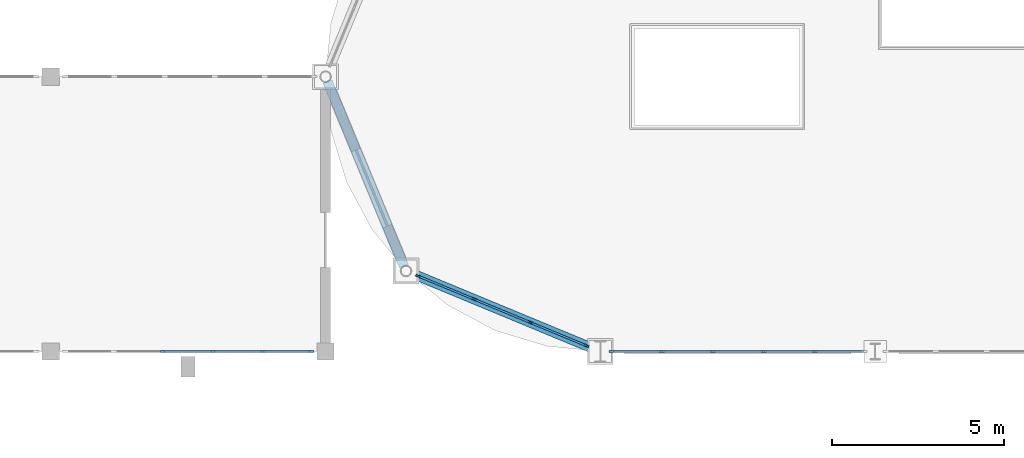
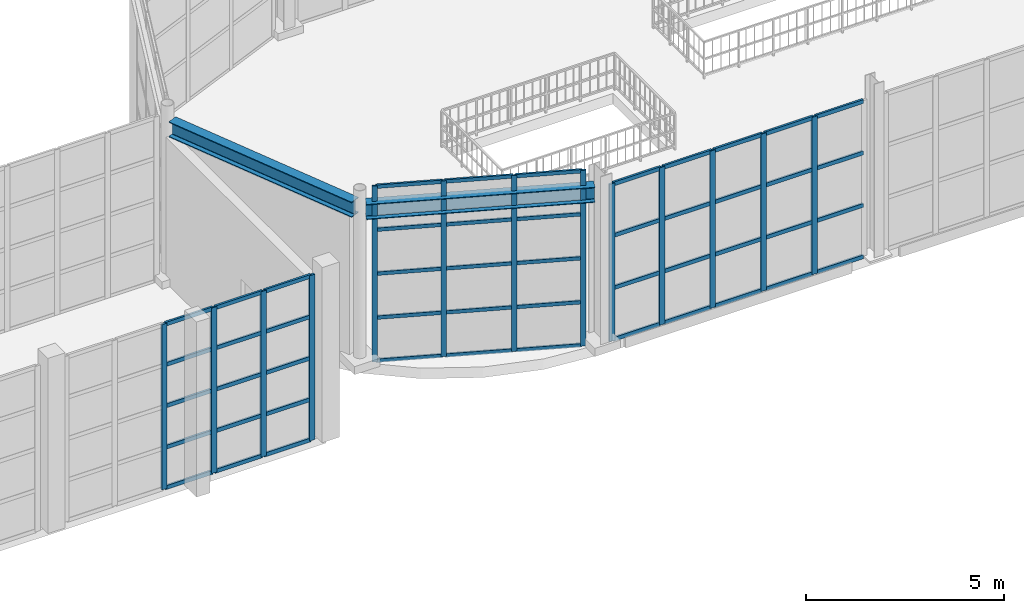
# One storey, part 17 of 82: 63 members, 2 beams, 3 elements without a shape of their own.
"""IFC4 building model written with IfcOpenShell, lengths in metres."""

import ifcopenshell
import ifcopenshell.guid

model = None  # the IFC model being written
_history = None  # IfcOwnerHistory: only IFC2X3 demands one
_inside = {}  # id of a spatial element -> (the spatial element, [elements in it])
_under = {}  # id of a project, library or spatial element -> (it, [spatial elements below it])
_declared = {}  # id of a project -> (the project, [libraries it declares])
_typed = {}  # id of a type object -> (the type object, [elements of that type])
_made_of = {}  # id of a material, layer set ... -> (it, [elements and type objects made of it])


def new_model(schema):
    """Start an empty IFC model of exactly this schema.

    Asked for "IFC4X3", IfcOpenShell would pick the latest addendum, in which some entities
    have other attributes; the version numbers below select the first issue.
    IFC2X3 requires an IfcOwnerHistory on every rooted entity: one is made here for all.
    """
    global model, _history
    if schema == "IFC4X3":
        model = ifcopenshell.file(schema_version=(4, 3, 0, 0))
    else:
        model = ifcopenshell.file(schema=schema)
    _inside.clear()
    _under.clear()
    _declared.clear()
    _typed.clear()
    _made_of.clear()
    _history = None
    if model.schema == "IFC2X3":
        org = make("IfcOrganization", Name="unknown")
        user = make(
            "IfcPersonAndOrganization",
            ThePerson=make("IfcPerson", FamilyName="unknown"),
            TheOrganization=org,
        )
        app = make(
            "IfcApplication",
            ApplicationDeveloper=org,
            Version="unknown",
            ApplicationFullName="unknown",
            ApplicationIdentifier="unknown",
        )
        _history = make(
            "IfcOwnerHistory",
            OwningUser=user,
            OwningApplication=app,
            ChangeAction="ADDED",
            CreationDate=0,
        )
    return model


def make(cls, **values):
    """One entity of the class cls with the attributes given. An attribute that is None is left unset."""
    return model.create_entity(
        cls, **{name: value for name, value in values.items() if value is not None}
    )


def rooted(cls, **values):
    """An entity with a GlobalId (a new one), such as an element, a storey or a relation."""
    return make(cls, GlobalId=ifcopenshell.guid.new(), OwnerHistory=_history, **values)


def si_unit(unit_type, name, prefix=None):
    """IfcSIUnit, for example si_unit("LENGTHUNIT", "METRE", prefix="MILLI")."""
    return make("IfcSIUnit", UnitType=unit_type, Prefix=prefix, Name=name)


def assignment(units):
    """IfcUnitAssignment: the units of a project."""
    return None if units is None else make("IfcUnitAssignment", Units=units)


def point(xyz):
    """IfcCartesianPoint."""
    return None if xyz is None else make("IfcCartesianPoint", Coordinates=xyz)


def direction(xyz):
    """IfcDirection."""
    return None if xyz is None else make("IfcDirection", DirectionRatios=xyz)


def frame(location, z_axis=None, x_axis=None):
    """IfcAxis2Placement3D, a coordinate frame: its origin and axes. An axis left out is left unset."""
    return make(
        "IfcAxis2Placement3D",
        Location=point(location),
        Axis=direction(z_axis),
        RefDirection=direction(x_axis),
    )


def frame_2d(location, x_axis=None):
    """IfcAxis2Placement2D, a coordinate frame in the plane: its origin and x axis."""
    return make(
        "IfcAxis2Placement2D", Location=point(location), RefDirection=direction(x_axis)
    )


def origin():
    """The frame at (0, 0, 0) with its axes left unset."""
    return frame((0.0, 0.0, 0.0))


def origin_2d():
    """The frame at (0, 0) in the plane with its x axis left unset."""
    return frame_2d((0.0, 0.0))


def place(relative_to, where):
    """IfcLocalPlacement: puts the frame where relative to a parent placement (None: the world)."""
    return make(
        "IfcLocalPlacement", PlacementRelTo=relative_to, RelativePlacement=where
    )


def context(
    kind, dimensions, precision=None, world=None, true_north=None, identifier=None
):
    """IfcGeometricRepresentationContext, for example the 3D "Model" context."""
    return make(
        "IfcGeometricRepresentationContext",
        ContextIdentifier=identifier,
        ContextType=kind,
        CoordinateSpaceDimension=dimensions,
        Precision=precision,
        WorldCoordinateSystem=world,
        TrueNorth=true_north,
    )


def subcontext(parent, identifier, kind, view, scale=None):
    """IfcGeometricRepresentationSubContext, for example "Body" below "Model"."""
    return make(
        "IfcGeometricRepresentationSubContext",
        ContextIdentifier=identifier,
        ContextType=kind,
        ParentContext=parent,
        TargetScale=scale,
        TargetView=view,
    )


def project(units=None, contexts=None):
    """IfcProject with its units and contexts."""
    return rooted(
        "IfcProject",
        Name="project",
        RepresentationContexts=contexts,
        UnitsInContext=assignment(units),
    )


def spatial(cls, under=None, at=None, **own):
    """A site, building, storey or space (cls), placed at a placement, below another one or the project."""
    s = rooted(cls, ObjectPlacement=at, **own)
    if under is not None:
        _under.setdefault(under.id(), (under, []))[1].append(s)
    return s


def profile(cls, at=None, kind="AREA", **sizes):
    """A parametric profile (cls). Its sizes go by their IFC names, for example OverallWidth=200.0."""
    return make(cls, ProfileType=kind, Position=at, **sizes)


def rectangle(**sizes):
    """IfcRectangleProfileDef."""
    return profile("IfcRectangleProfileDef", **sizes)


def i_section(**sizes):
    """IfcIShapeProfileDef."""
    return profile("IfcIShapeProfileDef", **sizes)


def extrude(swept, where, along, depth):
    """IfcExtrudedAreaSolid: the profile swept, set in the frame where, extruded along a direction by depth."""
    return make(
        "IfcExtrudedAreaSolid",
        SweptArea=swept,
        Position=where,
        ExtrudedDirection=direction(along),
        Depth=depth,
    )


def shape(context_of_items, identifier, shape_type, items):
    """IfcShapeRepresentation: the items that make up one representation, for example the "Body"."""
    return make(
        "IfcShapeRepresentation",
        ContextOfItems=context_of_items,
        RepresentationIdentifier=identifier,
        RepresentationType=shape_type,
        Items=items,
    )


def material(Name=None, Category=None):
    """IfcMaterial."""
    return make("IfcMaterial", Name=Name, Category=Category)


def material_profile(
    of_material, cross_section, Name=None, Category=None, Priority=None
):
    """IfcMaterialProfile: a cross section and its material."""
    return make(
        "IfcMaterialProfile",
        Name=Name,
        Material=of_material,
        Profile=cross_section,
        Priority=Priority,
        Category=Category,
    )


def profile_set(profiles, Name=None, composite=None):
    """IfcMaterialProfileSet."""
    return make(
        "IfcMaterialProfileSet",
        Name=Name,
        MaterialProfiles=profiles,
        CompositeProfile=composite,
    )


def made_of(thing, what):
    """Note that an element or type object is made of a material, layer set ...; save() writes the relation."""
    if what is not None:
        _made_of.setdefault(what.id(), (what, []))[1].append(thing)
    return thing


def type_object(cls, material=None, **own):
    """A type object (cls), such as IfcWallType, which elements share."""
    return made_of(rooted(cls, **own), material)


def element(
    cls,
    number,
    at=None,
    inside=None,
    cuts=None,
    type_object=None,
    material=None,
    context=None,
    identifier="Body",
    shape_type=None,
    held_by="IfcProductDefinitionShape",
    body=None,
    shapes=None,
    **own,
):
    """One element of the class cls, such as IfcWall. Its Tag is "e" and its number.

    at: its placement. inside: the storey or other place that contains it. cuts: it is an
    opening in that element (IfcRelVoidsElement). A single representation is given by context,
    identifier, shape_type and body (its items); several are given by shapes. held_by: the class
    of the entity that holds the representations. save() writes the other relations.
    """
    e = rooted(cls, Tag="e%d" % number, ObjectPlacement=at, **own)
    if body is not None:
        shapes = [shape(context, identifier, shape_type, body)]
    if shapes is not None:
        e.Representation = make(held_by, Representations=shapes)
    if inside is not None:
        _inside.setdefault(inside.id(), (inside, []))[1].append(e)
    if cuts is not None:
        rooted(
            "IfcRelVoidsElement", RelatingBuildingElement=cuts, RelatedOpeningElement=e
        )
    if type_object is not None:
        _typed.setdefault(type_object.id(), (type_object, []))[1].append(e)
    return made_of(e, material)


def aggregate(whole, parts):
    """IfcRelAggregates: a whole, such as a stair, and the parts it consists of."""
    return rooted("IfcRelAggregates", RelatingObject=whole, RelatedObjects=parts)


def save(model, path):
    """Write the relations noted so far, then the file.

    IfcRelAggregates (storeys below a building ...), IfcRelContainedInSpatialStructure (elements
    in a storey), IfcRelDefinesByType, IfcRelAssociatesMaterial and IfcRelDeclares: one each for
    every whole, place, type object, material and project.
    """
    for whole, parts in _under.values():
        aggregate(whole, parts)
    for where, things in _inside.values():
        rooted(
            "IfcRelContainedInSpatialStructure",
            RelatedElements=things,
            RelatingStructure=where,
        )
    for kind, things in _typed.values():
        rooted("IfcRelDefinesByType", RelatedObjects=things, RelatingType=kind)
    for what, things in _made_of.values():
        rooted("IfcRelAssociatesMaterial", RelatedObjects=things, RelatingMaterial=what)
    for by, libraries in _declared.values():
        rooted("IfcRelDeclares", RelatingContext=by, RelatedDefinitions=libraries)
    model.write(path)


model = new_model("IFC4")

# Units and contexts
model_context = context("Model", 3, precision=1e-05, world=origin(), true_north=direction((0.0, 1.0)))
body_context = subcontext(model_context, "Body", "Model", "MODEL_VIEW")
ifc_project = project(units=[si_unit("LENGTHUNIT", "METRE"), si_unit("AREAUNIT", "SQUARE_METRE"), si_unit("VOLUMEUNIT", "CUBIC_METRE"), si_unit("PLANEANGLEUNIT", "RADIAN"), si_unit("MASSUNIT", "GRAM", prefix="KILO")], contexts=[model_context])

# Site, building, storey
site_placement = place(None, origin())
site = spatial("IfcSite", under=ifc_project, at=site_placement, CompositionType="ELEMENT")
building_placement = place(site_placement, origin())
building = spatial("IfcBuilding", under=site, at=building_placement, Name="Serraluz Foothill Cableway Terminal", CompositionType="ELEMENT")
storey_placement = place(building_placement, frame((0.0, 0.0, 9.60009765625)))
storey = spatial("IfcBuildingStorey", under=building, at=storey_placement, Name="L02", CompositionType="ELEMENT", Elevation=9.60009765625)

# Curtain wall, members
ifc_material_1 = material(Name="Architectural bronze alloy C28000", Category="aluminium")
curtain_wall_type_1 = type_object("IfcCurtainWallType", Name="TYP-CW-480X380", PredefinedType="NOTDEFINED", material=ifc_material_1)
curtain_wall_1_placement = place(storey_placement, origin())
curtain_wall_1 = element("IfcCurtainWall", 1, at=curtain_wall_1_placement, inside=storey, type_object=curtain_wall_type_1, Name="Ribbed Glazed Curtain Wall CW-V1-W-L02-1", PredefinedType="NOTDEFINED")
ifc_material_2 = material(Name="Extruded aluminium 6063-T6", Category="aluminium")
ifc_material_profile_1 = material_profile(ifc_material_2, rectangle(XDim=0.054931640625, YDim=0.139892578125, at=origin_2d()), Name="ALU MULLION 55x140")
ifc_profile_set_1 = profile_set([ifc_material_profile_1], Name="Extruded aluminium 6063-T6")
member_type_1 = type_object("IfcMemberType", Name="TYP-CW-MUL-55X140", PredefinedType="MULLION", material=ifc_profile_set_1)
member_1_placement = place(storey_placement, frame((39.59765625, 56.16650390625, 0.0), z_axis=(0.0, 0.0, 1.0), x_axis=(-0.382681674752, -0.923880260537, 0.0)))
member_1 = element("IfcMember", 2, at=member_1_placement, type_object=member_type_1, Name="CW-14 mullion 1", PredefinedType="MULLION", context=body_context, shape_type="SweptSolid", body=[
    extrude(rectangle(XDim=0.054931640625, YDim=0.139892578125, at=origin_2d()), origin(), (0.0, 0.0, 1.0), 5.419921875),
])
member_2_placement = place(storey_placement, frame((37.971435546875, 56.84033203125, 0.0), z_axis=(0.0, 0.0, 1.0), x_axis=(-0.382681674752, -0.923880260537, 0.0)))
member_2 = element("IfcMember", 3, at=member_2_placement, type_object=member_type_1, Name="CW-14 mullion 2", PredefinedType="MULLION", context=body_context, shape_type="SweptSolid", body=[
    extrude(rectangle(XDim=0.054931640625, YDim=0.139892578125, at=origin_2d()), origin(), (0.0, 0.0, 1.0), 5.419921875),
])
member_3_placement = place(storey_placement, frame((36.319580078125, 57.5244140625, 0.0), z_axis=(0.0, 0.0, 1.0), x_axis=(-0.382681674752, -0.923880260537, 0.0)))
member_3 = element("IfcMember", 4, at=member_3_placement, type_object=member_type_1, Name="CW-14 mullion 3", PredefinedType="MULLION", context=body_context, shape_type="SweptSolid", body=[
    extrude(rectangle(XDim=0.054931640625, YDim=0.139892578125, at=origin_2d()), origin(), (0.0, 0.0, 1.0), 5.419921875),
])
member_4_placement = place(storey_placement, frame((34.693359375, 58.197998046875, 0.0), z_axis=(0.0, 0.0, 1.0), x_axis=(-0.382681674752, -0.923880260537, 0.0)))
member_4 = element("IfcMember", 5, at=member_4_placement, type_object=member_type_1, Name="CW-14 mullion 4", PredefinedType="MULLION", context=body_context, shape_type="SweptSolid", body=[
    extrude(rectangle(XDim=0.054931640625, YDim=0.139892578125, at=origin_2d()), origin(), (0.0, 0.0, 1.0), 5.419921875),
])

curtain_wall_type_2 = type_object("IfcCurtainWallType", Name="TYP-CW-740X440", PredefinedType="NOTDEFINED", material=ifc_material_1)
curtain_wall_2_placement = place(storey_placement, origin())
curtain_wall_2 = element("IfcCurtainWall", 6, at=curtain_wall_2_placement, inside=storey, type_object=curtain_wall_type_2, Name="Ribbed Glazed Curtain Wall CW-V1S-L02-40", PredefinedType="NOTDEFINED")
ifc_material_profile_2 = material_profile(ifc_material_1, rectangle(XDim=0.06005859375, YDim=0.159912109375, at=origin_2d()), Name="ALU MULLION 60x160")
ifc_profile_set_2 = profile_set([ifc_material_profile_2], Name="Architectural bronze alloy C28000")
member_type_2 = type_object("IfcMemberType", Name="TYP-CW-MUL-60X160", PredefinedType="MULLION", material=ifc_profile_set_2)
member_5_placement = place(storey_placement, frame((46.2353515625, 56.0, 0.0), z_axis=(0.0, 0.0, 1.0), x_axis=(0.0, -1.0, 0.0)))
member_5 = element("IfcMember", 7, at=member_5_placement, type_object=member_type_2, Name="CW-06 mullion 2", PredefinedType="MULLION", context=body_context, shape_type="SweptSolid", body=[
    extrude(rectangle(XDim=0.06005859375, YDim=0.159912109375, at=origin_2d()), origin(), (0.0, 0.0, 1.0), 4.849853515625),
])
member_6_placement = place(storey_placement, frame((44.752197265625, 56.0, 0.0), z_axis=(0.0, 0.0, 1.0), x_axis=(0.0, -1.0, 0.0)))
member_6 = element("IfcMember", 8, at=member_6_placement, type_object=member_type_2, Name="CW-06 mullion 3", PredefinedType="MULLION", context=body_context, shape_type="SweptSolid", body=[
    extrude(rectangle(XDim=0.06005859375, YDim=0.159912109375, at=origin_2d()), origin(), (0.0, 0.0, 1.0), 4.849853515625),
])
member_7_placement = place(storey_placement, frame((43.268798828125, 56.0, 0.0), z_axis=(0.0, 0.0, 1.0), x_axis=(0.0, -1.0, 0.0)))
member_7 = element("IfcMember", 9, at=member_7_placement, type_object=member_type_2, Name="CW-06 mullion 4", PredefinedType="MULLION", context=body_context, shape_type="SweptSolid", body=[
    extrude(rectangle(XDim=0.06005859375, YDim=0.159912109375, at=origin_2d()), origin(), (0.0, 0.0, 1.0), 4.849853515625),
])
member_8_placement = place(storey_placement, frame((41.78564453125, 56.0, 0.0), z_axis=(0.0, 0.0, 1.0), x_axis=(0.0, -1.0, 0.0)))
member_8 = element("IfcMember", 10, at=member_8_placement, type_object=member_type_2, Name="CW-06 mullion 5", PredefinedType="MULLION", context=body_context, shape_type="SweptSolid", body=[
    extrude(rectangle(XDim=0.06005859375, YDim=0.159912109375, at=origin_2d()), origin(), (0.0, 0.0, 1.0), 4.849853515625),
])
member_9_placement = place(storey_placement, frame((40.33251953125, 56.0, 0.0), z_axis=(0.0, 0.0, 1.0), x_axis=(0.0, -1.0, 0.0)))
member_9 = element("IfcMember", 11, at=member_9_placement, type_object=member_type_2, Name="CW-06 mullion 6", PredefinedType="MULLION", context=body_context, shape_type="SweptSolid", body=[
    extrude(rectangle(XDim=0.06005859375, YDim=0.159912109375, at=origin_2d()), origin(), (0.0, 0.0, 1.0), 4.849853515625),
])

curtain_wall_type_3 = type_object("IfcCurtainWallType", Name="TYP-CW-710X420", PredefinedType="NOTDEFINED", material=ifc_material_1)
curtain_wall_3_placement = place(storey_placement, origin())
curtain_wall_3 = element("IfcCurtainWall", 12, at=curtain_wall_3_placement, inside=storey, type_object=curtain_wall_type_3, Name="Ribbed Glazed Curtain Wall CW-WLS-L02-24", PredefinedType="NOTDEFINED")
member_10_placement = place(storey_placement, frame((31.580078125, 56.0, 0.0), z_axis=(0.0, 0.0, 1.0), x_axis=(0.0, -1.0, 0.0)))
member_10 = element("IfcMember", 13, at=member_10_placement, type_object=member_type_2, Name="CW-01 mullion 1", PredefinedType="MULLION", context=body_context, shape_type="SweptSolid", body=[
    extrude(rectangle(XDim=0.06005859375, YDim=0.159912109375, at=origin_2d()), origin(), (0.0, 0.0, 1.0), 5.099853515625),
])
member_11_placement = place(storey_placement, frame((30.166015625, 56.0, 0.0), z_axis=(0.0, 0.0, 1.0), x_axis=(0.0, -1.0, 0.0)))
member_11 = element("IfcMember", 14, at=member_11_placement, type_object=member_type_2, Name="CW-01 mullion 2", PredefinedType="MULLION", context=body_context, shape_type="SweptSolid", body=[
    extrude(rectangle(XDim=0.06005859375, YDim=0.159912109375, at=origin_2d()), origin(), (0.0, 0.0, 1.0), 5.099853515625),
])
member_12_placement = place(storey_placement, frame((28.721923828125, 56.0, 0.0), z_axis=(0.0, 0.0, 1.0), x_axis=(0.0, -1.0, 0.0)))
member_12 = element("IfcMember", 15, at=member_12_placement, type_object=member_type_2, Name="CW-01 mullion 3", PredefinedType="MULLION", context=body_context, shape_type="SweptSolid", body=[
    extrude(rectangle(XDim=0.06005859375, YDim=0.159912109375, at=origin_2d()), origin(), (0.0, 0.0, 1.0), 5.099853515625),
])
member_13_placement = place(storey_placement, frame((27.278076171875, 56.0, 0.0), z_axis=(0.0, 0.0, 1.0), x_axis=(0.0, -1.0, 0.0)))
member_13 = element("IfcMember", 16, at=member_13_placement, type_object=member_type_2, Name="CW-01 mullion 4", PredefinedType="MULLION", context=body_context, shape_type="SweptSolid", body=[
    extrude(rectangle(XDim=0.06005859375, YDim=0.159912109375, at=origin_2d()), origin(), (0.0, 0.0, 1.0), 5.099853515625),
])

# Member
ifc_material_profile_3 = material_profile(ifc_material_2, rectangle(XDim=0.054931640625, YDim=0.110107421875, at=origin_2d()), Name="ALU TRANSOM 55x110")
ifc_profile_set_3 = profile_set([ifc_material_profile_3], Name="Extruded aluminium 6063-T6")
member_type_3 = type_object("IfcMemberType", Name="TYP-CW-TRN-55X110", PredefinedType="USERDEFINED", material=ifc_profile_set_3)
member_14_placement = place(storey_placement, frame((39.572265625, 56.17724609375, 0.02734375), z_axis=(-0.923875488976, 0.382693194178, 0.0), x_axis=(-0.382693194178, -0.923875488976, 0.0)))
member_14 = element("IfcMember", 17, at=member_14_placement, type_object=member_type_3, Name="CW-14 transom 1.1", ObjectType="TRANSOM", PredefinedType="USERDEFINED", context=body_context, shape_type="SweptSolid", body=[
    extrude(rectangle(XDim=0.054931640625, YDim=0.110107421875, at=origin_2d()), origin(), (0.0, 0.0, 1.0), 1.705322265625),
])

member_15_placement = place(storey_placement, frame((39.572265625, 56.17724609375, 1.35498046875), z_axis=(-0.923875488976, 0.382693194178, 0.0), x_axis=(-0.382693194178, -0.923875488976, 0.0)))
member_15 = element("IfcMember", 18, at=member_15_placement, type_object=member_type_3, Name="CW-14 transom 1.2", ObjectType="TRANSOM", PredefinedType="USERDEFINED", context=body_context, shape_type="SweptSolid", body=[
    extrude(rectangle(XDim=0.054931640625, YDim=0.110107421875, at=origin_2d()), origin(), (0.0, 0.0, 1.0), 1.705322265625),
])

member_16_placement = place(storey_placement, frame((39.572265625, 56.17724609375, 2.7099609375), z_axis=(-0.923875488976, 0.382693194178, 0.0), x_axis=(-0.382693194178, -0.923875488976, 0.0)))
member_16 = element("IfcMember", 19, at=member_16_placement, type_object=member_type_3, Name="CW-14 transom 1.3", ObjectType="TRANSOM", PredefinedType="USERDEFINED", context=body_context, shape_type="SweptSolid", body=[
    extrude(rectangle(XDim=0.054931640625, YDim=0.110107421875, at=origin_2d()), origin(), (0.0, 0.0, 1.0), 1.705322265625),
])

member_17_placement = place(storey_placement, frame((39.572265625, 56.17724609375, 4.06494140625), z_axis=(-0.923875488976, 0.382693194178, 0.0), x_axis=(-0.382693194178, -0.923875488976, 0.0)))
member_17 = element("IfcMember", 20, at=member_17_placement, type_object=member_type_3, Name="CW-14 transom 1.4", ObjectType="TRANSOM", PredefinedType="USERDEFINED", context=body_context, shape_type="SweptSolid", body=[
    extrude(rectangle(XDim=0.054931640625, YDim=0.110107421875, at=origin_2d()), origin(), (0.0, 0.0, 1.0), 1.705322265625),
])

member_18_placement = place(storey_placement, frame((39.572265625, 56.17724609375, 5.392333984375), z_axis=(-0.923875488976, 0.382693194178, 0.0), x_axis=(-0.382693194178, -0.923875488976, 0.0)))
member_18 = element("IfcMember", 21, at=member_18_placement, type_object=member_type_3, Name="CW-14 transom 1.5", ObjectType="TRANSOM", PredefinedType="USERDEFINED", context=body_context, shape_type="SweptSolid", body=[
    extrude(rectangle(XDim=0.054931640625, YDim=0.110107421875, at=origin_2d()), origin(), (0.0, 0.0, 1.0), 1.705322265625),
])

member_19_placement = place(storey_placement, frame((37.946044921875, 56.850830078125, 0.02734375), z_axis=(-0.923900079523, 0.382633823724, 0.0), x_axis=(-0.382633823724, -0.923900079523, 0.0)))
member_19 = element("IfcMember", 22, at=member_19_placement, type_object=member_type_3, Name="CW-14 transom 2.1", ObjectType="TRANSOM", PredefinedType="USERDEFINED", context=body_context, shape_type="SweptSolid", body=[
    extrude(rectangle(XDim=0.054931640625, YDim=0.110107421875, at=origin_2d()), origin(), (0.0, 0.0, 1.0), 1.73291015625),
])

member_20_placement = place(storey_placement, frame((37.946044921875, 56.850830078125, 1.35498046875), z_axis=(-0.923900079523, 0.382633823724, 0.0), x_axis=(-0.382633823724, -0.923900079523, 0.0)))
member_20 = element("IfcMember", 23, at=member_20_placement, type_object=member_type_3, Name="CW-14 transom 2.2", ObjectType="TRANSOM", PredefinedType="USERDEFINED", context=body_context, shape_type="SweptSolid", body=[
    extrude(rectangle(XDim=0.054931640625, YDim=0.110107421875, at=origin_2d()), origin(), (0.0, 0.0, 1.0), 1.73291015625),
])

member_21_placement = place(storey_placement, frame((37.946044921875, 56.850830078125, 2.7099609375), z_axis=(-0.923900079523, 0.382633823724, 0.0), x_axis=(-0.382633823724, -0.923900079523, 0.0)))
member_21 = element("IfcMember", 24, at=member_21_placement, type_object=member_type_3, Name="CW-14 transom 2.3", ObjectType="TRANSOM", PredefinedType="USERDEFINED", context=body_context, shape_type="SweptSolid", body=[
    extrude(rectangle(XDim=0.054931640625, YDim=0.110107421875, at=origin_2d()), origin(), (0.0, 0.0, 1.0), 1.73291015625),
])

member_22_placement = place(storey_placement, frame((37.946044921875, 56.850830078125, 4.06494140625), z_axis=(-0.923900079523, 0.382633823724, 0.0), x_axis=(-0.382633823724, -0.923900079523, 0.0)))
member_22 = element("IfcMember", 25, at=member_22_placement, type_object=member_type_3, Name="CW-14 transom 2.4", ObjectType="TRANSOM", PredefinedType="USERDEFINED", context=body_context, shape_type="SweptSolid", body=[
    extrude(rectangle(XDim=0.054931640625, YDim=0.110107421875, at=origin_2d()), origin(), (0.0, 0.0, 1.0), 1.73291015625),
])

member_23_placement = place(storey_placement, frame((37.946044921875, 56.850830078125, 5.392333984375), z_axis=(-0.923900079523, 0.382633823724, 0.0), x_axis=(-0.382633823724, -0.923900079523, 0.0)))
member_23 = element("IfcMember", 26, at=member_23_placement, type_object=member_type_3, Name="CW-14 transom 2.5", ObjectType="TRANSOM", PredefinedType="USERDEFINED", context=body_context, shape_type="SweptSolid", body=[
    extrude(rectangle(XDim=0.054931640625, YDim=0.110107421875, at=origin_2d()), origin(), (0.0, 0.0, 1.0), 1.73291015625),
])

member_24_placement = place(storey_placement, frame((36.294189453125, 57.534912109375, 0.02734375), z_axis=(-0.923875488976, 0.382693194178, 0.0), x_axis=(-0.382693194178, -0.923875488976, 0.0)))
member_24 = element("IfcMember", 27, at=member_24_placement, type_object=member_type_3, Name="CW-14 transom 3.1", ObjectType="TRANSOM", PredefinedType="USERDEFINED", context=body_context, shape_type="SweptSolid", body=[
    extrude(rectangle(XDim=0.054931640625, YDim=0.110107421875, at=origin_2d()), origin(), (0.0, 0.0, 1.0), 1.705322265625),
])

member_25_placement = place(storey_placement, frame((36.294189453125, 57.534912109375, 1.35498046875), z_axis=(-0.923875488976, 0.382693194178, 0.0), x_axis=(-0.382693194178, -0.923875488976, 0.0)))
member_25 = element("IfcMember", 28, at=member_25_placement, type_object=member_type_3, Name="CW-14 transom 3.2", ObjectType="TRANSOM", PredefinedType="USERDEFINED", context=body_context, shape_type="SweptSolid", body=[
    extrude(rectangle(XDim=0.054931640625, YDim=0.110107421875, at=origin_2d()), origin(), (0.0, 0.0, 1.0), 1.705322265625),
])

member_26_placement = place(storey_placement, frame((36.294189453125, 57.534912109375, 2.7099609375), z_axis=(-0.923875488976, 0.382693194178, 0.0), x_axis=(-0.382693194178, -0.923875488976, 0.0)))
member_26 = element("IfcMember", 29, at=member_26_placement, type_object=member_type_3, Name="CW-14 transom 3.3", ObjectType="TRANSOM", PredefinedType="USERDEFINED", context=body_context, shape_type="SweptSolid", body=[
    extrude(rectangle(XDim=0.054931640625, YDim=0.110107421875, at=origin_2d()), origin(), (0.0, 0.0, 1.0), 1.705322265625),
])

member_27_placement = place(storey_placement, frame((36.294189453125, 57.534912109375, 4.06494140625), z_axis=(-0.923875488976, 0.382693194178, 0.0), x_axis=(-0.382693194178, -0.923875488976, 0.0)))
member_27 = element("IfcMember", 30, at=member_27_placement, type_object=member_type_3, Name="CW-14 transom 3.4", ObjectType="TRANSOM", PredefinedType="USERDEFINED", context=body_context, shape_type="SweptSolid", body=[
    extrude(rectangle(XDim=0.054931640625, YDim=0.110107421875, at=origin_2d()), origin(), (0.0, 0.0, 1.0), 1.705322265625),
])

member_28_placement = place(storey_placement, frame((36.294189453125, 57.534912109375, 5.392333984375), z_axis=(-0.923875488976, 0.382693194178, 0.0), x_axis=(-0.382693194178, -0.923875488976, 0.0)))
member_28 = element("IfcMember", 31, at=member_28_placement, type_object=member_type_3, Name="CW-14 transom 3.5", ObjectType="TRANSOM", PredefinedType="USERDEFINED", context=body_context, shape_type="SweptSolid", body=[
    extrude(rectangle(XDim=0.054931640625, YDim=0.110107421875, at=origin_2d()), origin(), (0.0, 0.0, 1.0), 1.705322265625),
])

aggregate(curtain_wall_1, [member_1, member_2, member_3, member_4, member_14, member_15, member_16, member_17, member_18, member_19, member_20, member_21, member_22, member_23, member_24, member_25, member_26, member_27, member_28])

ifc_material_profile_4 = material_profile(ifc_material_1, rectangle(XDim=0.06005859375, YDim=0.1201171875, at=origin_2d()), Name="ALU TRANSOM 60x120")
ifc_profile_set_4 = profile_set([ifc_material_profile_4], Name="Architectural bronze alloy C28000")
member_type_4 = type_object("IfcMemberType", Name="TYP-CW-TRN-60X120", PredefinedType="USERDEFINED", material=ifc_profile_set_4)
member_29_placement = place(storey_placement, frame((47.658447265625, 56.0, 0.02978515625), z_axis=(-1.0, 0.0, 0.0), x_axis=(0.0, -1.0, 0.0)))
member_29 = element("IfcMember", 32, at=member_29_placement, type_object=member_type_4, Name="CW-06 transom 1.1", ObjectType="TRANSOM", PredefinedType="USERDEFINED", context=body_context, shape_type="SweptSolid", body=[
    extrude(rectangle(XDim=0.06005859375, YDim=0.1201171875, at=origin_2d()), origin(), (0.0, 0.0, 1.0), 1.39306640625),
])

member_30_placement = place(storey_placement, frame((47.658447265625, 56.0, 1.61669921875), z_axis=(-1.0, 0.0, 0.0), x_axis=(0.0, -1.0, 0.0)))
member_30 = element("IfcMember", 33, at=member_30_placement, type_object=member_type_4, Name="CW-06 transom 1.2", ObjectType="TRANSOM", PredefinedType="USERDEFINED", context=body_context, shape_type="SweptSolid", body=[
    extrude(rectangle(XDim=0.06005859375, YDim=0.1201171875, at=origin_2d()), origin(), (0.0, 0.0, 1.0), 1.39306640625),
])

member_31_placement = place(storey_placement, frame((47.658447265625, 56.0, 3.233154296875), z_axis=(-1.0, 0.0, 0.0), x_axis=(0.0, -1.0, 0.0)))
member_31 = element("IfcMember", 34, at=member_31_placement, type_object=member_type_4, Name="CW-06 transom 1.3", ObjectType="TRANSOM", PredefinedType="USERDEFINED", context=body_context, shape_type="SweptSolid", body=[
    extrude(rectangle(XDim=0.06005859375, YDim=0.1201171875, at=origin_2d()), origin(), (0.0, 0.0, 1.0), 1.39306640625),
])

member_32_placement = place(storey_placement, frame((47.658447265625, 56.0, 4.81982421875), z_axis=(-1.0, 0.0, 0.0), x_axis=(0.0, -1.0, 0.0)))
member_32 = element("IfcMember", 35, at=member_32_placement, type_object=member_type_4, Name="CW-06 transom 1.4", ObjectType="TRANSOM", PredefinedType="USERDEFINED", context=body_context, shape_type="SweptSolid", body=[
    extrude(rectangle(XDim=0.06005859375, YDim=0.1201171875, at=origin_2d()), origin(), (0.0, 0.0, 1.0), 1.39306640625),
])

member_33_placement = place(storey_placement, frame((46.205322265625, 56.0, 0.02978515625), z_axis=(-1.0, 0.0, 0.0), x_axis=(0.0, -1.0, 0.0)))
member_33 = element("IfcMember", 36, at=member_33_placement, type_object=member_type_4, Name="CW-06 transom 2.1", ObjectType="TRANSOM", PredefinedType="USERDEFINED", context=body_context, shape_type="SweptSolid", body=[
    extrude(rectangle(XDim=0.06005859375, YDim=0.1201171875, at=origin_2d()), origin(), (0.0, 0.0, 1.0), 1.42333984375),
])

member_34_placement = place(storey_placement, frame((46.205322265625, 56.0, 1.61669921875), z_axis=(-1.0, 0.0, 0.0), x_axis=(0.0, -1.0, 0.0)))
member_34 = element("IfcMember", 37, at=member_34_placement, type_object=member_type_4, Name="CW-06 transom 2.2", ObjectType="TRANSOM", PredefinedType="USERDEFINED", context=body_context, shape_type="SweptSolid", body=[
    extrude(rectangle(XDim=0.06005859375, YDim=0.1201171875, at=origin_2d()), origin(), (0.0, 0.0, 1.0), 1.42333984375),
])

member_35_placement = place(storey_placement, frame((46.205322265625, 56.0, 3.233154296875), z_axis=(-1.0, 0.0, 0.0), x_axis=(0.0, -1.0, 0.0)))
member_35 = element("IfcMember", 38, at=member_35_placement, type_object=member_type_4, Name="CW-06 transom 2.3", ObjectType="TRANSOM", PredefinedType="USERDEFINED", context=body_context, shape_type="SweptSolid", body=[
    extrude(rectangle(XDim=0.06005859375, YDim=0.1201171875, at=origin_2d()), origin(), (0.0, 0.0, 1.0), 1.42333984375),
])

member_36_placement = place(storey_placement, frame((46.205322265625, 56.0, 4.81982421875), z_axis=(-1.0, 0.0, 0.0), x_axis=(0.0, -1.0, 0.0)))
member_36 = element("IfcMember", 39, at=member_36_placement, type_object=member_type_4, Name="CW-06 transom 2.4", ObjectType="TRANSOM", PredefinedType="USERDEFINED", context=body_context, shape_type="SweptSolid", body=[
    extrude(rectangle(XDim=0.06005859375, YDim=0.1201171875, at=origin_2d()), origin(), (0.0, 0.0, 1.0), 1.42333984375),
])

member_37_placement = place(storey_placement, frame((44.72216796875, 56.0, 0.02978515625), z_axis=(-1.0, 0.0, 0.0), x_axis=(0.0, -1.0, 0.0)))
member_37 = element("IfcMember", 40, at=member_37_placement, type_object=member_type_4, Name="CW-06 transom 3.1", ObjectType="TRANSOM", PredefinedType="USERDEFINED", context=body_context, shape_type="SweptSolid", body=[
    extrude(rectangle(XDim=0.06005859375, YDim=0.1201171875, at=origin_2d()), origin(), (0.0, 0.0, 1.0), 1.42333984375),
])

member_38_placement = place(storey_placement, frame((44.72216796875, 56.0, 1.61669921875), z_axis=(-1.0, 0.0, 0.0), x_axis=(0.0, -1.0, 0.0)))
member_38 = element("IfcMember", 41, at=member_38_placement, type_object=member_type_4, Name="CW-06 transom 3.2", ObjectType="TRANSOM", PredefinedType="USERDEFINED", context=body_context, shape_type="SweptSolid", body=[
    extrude(rectangle(XDim=0.06005859375, YDim=0.1201171875, at=origin_2d()), origin(), (0.0, 0.0, 1.0), 1.42333984375),
])

member_39_placement = place(storey_placement, frame((44.72216796875, 56.0, 3.233154296875), z_axis=(-1.0, 0.0, 0.0), x_axis=(0.0, -1.0, 0.0)))
member_39 = element("IfcMember", 42, at=member_39_placement, type_object=member_type_4, Name="CW-06 transom 3.3", ObjectType="TRANSOM", PredefinedType="USERDEFINED", context=body_context, shape_type="SweptSolid", body=[
    extrude(rectangle(XDim=0.06005859375, YDim=0.1201171875, at=origin_2d()), origin(), (0.0, 0.0, 1.0), 1.42333984375),
])

member_40_placement = place(storey_placement, frame((44.72216796875, 56.0, 4.81982421875), z_axis=(-1.0, 0.0, 0.0), x_axis=(0.0, -1.0, 0.0)))
member_40 = element("IfcMember", 43, at=member_40_placement, type_object=member_type_4, Name="CW-06 transom 3.4", ObjectType="TRANSOM", PredefinedType="USERDEFINED", context=body_context, shape_type="SweptSolid", body=[
    extrude(rectangle(XDim=0.06005859375, YDim=0.1201171875, at=origin_2d()), origin(), (0.0, 0.0, 1.0), 1.42333984375),
])

member_41_placement = place(storey_placement, frame((43.239013671875, 56.0, 0.02978515625), z_axis=(-1.0, 0.0, 0.0), x_axis=(0.0, -1.0, 0.0)))
member_41 = element("IfcMember", 44, at=member_41_placement, type_object=member_type_4, Name="CW-06 transom 4.1", ObjectType="TRANSOM", PredefinedType="USERDEFINED", context=body_context, shape_type="SweptSolid", body=[
    extrude(rectangle(XDim=0.06005859375, YDim=0.1201171875, at=origin_2d()), origin(), (0.0, 0.0, 1.0), 1.42333984375),
])

member_42_placement = place(storey_placement, frame((43.239013671875, 56.0, 1.61669921875), z_axis=(-1.0, 0.0, 0.0), x_axis=(0.0, -1.0, 0.0)))
member_42 = element("IfcMember", 45, at=member_42_placement, type_object=member_type_4, Name="CW-06 transom 4.2", ObjectType="TRANSOM", PredefinedType="USERDEFINED", context=body_context, shape_type="SweptSolid", body=[
    extrude(rectangle(XDim=0.06005859375, YDim=0.1201171875, at=origin_2d()), origin(), (0.0, 0.0, 1.0), 1.42333984375),
])

member_43_placement = place(storey_placement, frame((43.239013671875, 56.0, 3.233154296875), z_axis=(-1.0, 0.0, 0.0), x_axis=(0.0, -1.0, 0.0)))
member_43 = element("IfcMember", 46, at=member_43_placement, type_object=member_type_4, Name="CW-06 transom 4.3", ObjectType="TRANSOM", PredefinedType="USERDEFINED", context=body_context, shape_type="SweptSolid", body=[
    extrude(rectangle(XDim=0.06005859375, YDim=0.1201171875, at=origin_2d()), origin(), (0.0, 0.0, 1.0), 1.42333984375),
])

member_44_placement = place(storey_placement, frame((43.239013671875, 56.0, 4.81982421875), z_axis=(-1.0, 0.0, 0.0), x_axis=(0.0, -1.0, 0.0)))
member_44 = element("IfcMember", 47, at=member_44_placement, type_object=member_type_4, Name="CW-06 transom 4.4", ObjectType="TRANSOM", PredefinedType="USERDEFINED", context=body_context, shape_type="SweptSolid", body=[
    extrude(rectangle(XDim=0.06005859375, YDim=0.1201171875, at=origin_2d()), origin(), (0.0, 0.0, 1.0), 1.42333984375),
])

member_45_placement = place(storey_placement, frame((41.755615234375, 56.0, 0.02978515625), z_axis=(-1.0, 0.0, 0.0), x_axis=(0.0, -1.0, 0.0)))
member_45 = element("IfcMember", 48, at=member_45_placement, type_object=member_type_4, Name="CW-06 transom 5.1", ObjectType="TRANSOM", PredefinedType="USERDEFINED", context=body_context, shape_type="SweptSolid", body=[
    extrude(rectangle(XDim=0.06005859375, YDim=0.1201171875, at=origin_2d()), origin(), (0.0, 0.0, 1.0), 1.39306640625),
])

member_46_placement = place(storey_placement, frame((41.755615234375, 56.0, 1.61669921875), z_axis=(-1.0, 0.0, 0.0), x_axis=(0.0, -1.0, 0.0)))
member_46 = element("IfcMember", 49, at=member_46_placement, type_object=member_type_4, Name="CW-06 transom 5.2", ObjectType="TRANSOM", PredefinedType="USERDEFINED", context=body_context, shape_type="SweptSolid", body=[
    extrude(rectangle(XDim=0.06005859375, YDim=0.1201171875, at=origin_2d()), origin(), (0.0, 0.0, 1.0), 1.39306640625),
])

member_47_placement = place(storey_placement, frame((41.755615234375, 56.0, 3.233154296875), z_axis=(-1.0, 0.0, 0.0), x_axis=(0.0, -1.0, 0.0)))
member_47 = element("IfcMember", 50, at=member_47_placement, type_object=member_type_4, Name="CW-06 transom 5.3", ObjectType="TRANSOM", PredefinedType="USERDEFINED", context=body_context, shape_type="SweptSolid", body=[
    extrude(rectangle(XDim=0.06005859375, YDim=0.1201171875, at=origin_2d()), origin(), (0.0, 0.0, 1.0), 1.39306640625),
])

member_48_placement = place(storey_placement, frame((41.755615234375, 56.0, 4.81982421875), z_axis=(-1.0, 0.0, 0.0), x_axis=(0.0, -1.0, 0.0)))
member_48 = element("IfcMember", 51, at=member_48_placement, type_object=member_type_4, Name="CW-06 transom 5.4", ObjectType="TRANSOM", PredefinedType="USERDEFINED", context=body_context, shape_type="SweptSolid", body=[
    extrude(rectangle(XDim=0.06005859375, YDim=0.1201171875, at=origin_2d()), origin(), (0.0, 0.0, 1.0), 1.39306640625),
])

aggregate(curtain_wall_2, [member_5, member_6, member_7, member_8, member_9, member_29, member_30, member_31, member_32, member_33, member_34, member_35, member_36, member_37, member_38, member_39, member_40, member_41, member_42, member_43, member_44, member_45, member_46, member_47, member_48])

member_49_placement = place(storey_placement, frame((31.550048828125, 56.0, 0.02978515625), z_axis=(-1.0, 0.0, 0.0), x_axis=(0.0, -1.0, 0.0)))
member_49 = element("IfcMember", 52, at=member_49_placement, type_object=member_type_4, Name="CW-01 transom 1.1", ObjectType="TRANSOM", PredefinedType="USERDEFINED", context=body_context, shape_type="SweptSolid", body=[
    extrude(rectangle(XDim=0.06005859375, YDim=0.1201171875, at=origin_2d()), origin(), (0.0, 0.0, 1.0), 1.35400390625),
])

member_50_placement = place(storey_placement, frame((31.550048828125, 56.0, 1.27490234375), z_axis=(-1.0, 0.0, 0.0), x_axis=(0.0, -1.0, 0.0)))
member_50 = element("IfcMember", 53, at=member_50_placement, type_object=member_type_4, Name="CW-01 transom 1.2", ObjectType="TRANSOM", PredefinedType="USERDEFINED", context=body_context, shape_type="SweptSolid", body=[
    extrude(rectangle(XDim=0.06005859375, YDim=0.1201171875, at=origin_2d()), origin(), (0.0, 0.0, 1.0), 1.35400390625),
])

member_51_placement = place(storey_placement, frame((31.550048828125, 56.0, 2.5498046875), z_axis=(-1.0, 0.0, 0.0), x_axis=(0.0, -1.0, 0.0)))
member_51 = element("IfcMember", 54, at=member_51_placement, type_object=member_type_4, Name="CW-01 transom 1.3", ObjectType="TRANSOM", PredefinedType="USERDEFINED", context=body_context, shape_type="SweptSolid", body=[
    extrude(rectangle(XDim=0.06005859375, YDim=0.1201171875, at=origin_2d()), origin(), (0.0, 0.0, 1.0), 1.35400390625),
])

member_52_placement = place(storey_placement, frame((31.550048828125, 56.0, 3.824951171875), z_axis=(-1.0, 0.0, 0.0), x_axis=(0.0, -1.0, 0.0)))
member_52 = element("IfcMember", 55, at=member_52_placement, type_object=member_type_4, Name="CW-01 transom 1.4", ObjectType="TRANSOM", PredefinedType="USERDEFINED", context=body_context, shape_type="SweptSolid", body=[
    extrude(rectangle(XDim=0.06005859375, YDim=0.1201171875, at=origin_2d()), origin(), (0.0, 0.0, 1.0), 1.35400390625),
])

member_53_placement = place(storey_placement, frame((31.550048828125, 56.0, 5.06982421875), z_axis=(-1.0, 0.0, 0.0), x_axis=(0.0, -1.0, 0.0)))
member_53 = element("IfcMember", 56, at=member_53_placement, type_object=member_type_4, Name="CW-01 transom 1.5", ObjectType="TRANSOM", PredefinedType="USERDEFINED", context=body_context, shape_type="SweptSolid", body=[
    extrude(rectangle(XDim=0.06005859375, YDim=0.1201171875, at=origin_2d()), origin(), (0.0, 0.0, 1.0), 1.35400390625),
])

member_54_placement = place(storey_placement, frame((30.135986328125, 56.0, 0.02978515625), z_axis=(-1.0, 0.0, 0.0), x_axis=(0.0, -1.0, 0.0)))
member_54 = element("IfcMember", 57, at=member_54_placement, type_object=member_type_4, Name="CW-01 transom 2.1", ObjectType="TRANSOM", PredefinedType="USERDEFINED", context=body_context, shape_type="SweptSolid", body=[
    extrude(rectangle(XDim=0.06005859375, YDim=0.1201171875, at=origin_2d()), origin(), (0.0, 0.0, 1.0), 1.384033203125),
])

member_55_placement = place(storey_placement, frame((30.135986328125, 56.0, 1.27490234375), z_axis=(-1.0, 0.0, 0.0), x_axis=(0.0, -1.0, 0.0)))
member_55 = element("IfcMember", 58, at=member_55_placement, type_object=member_type_4, Name="CW-01 transom 2.2", ObjectType="TRANSOM", PredefinedType="USERDEFINED", context=body_context, shape_type="SweptSolid", body=[
    extrude(rectangle(XDim=0.06005859375, YDim=0.1201171875, at=origin_2d()), origin(), (0.0, 0.0, 1.0), 1.384033203125),
])

member_56_placement = place(storey_placement, frame((30.135986328125, 56.0, 2.5498046875), z_axis=(-1.0, 0.0, 0.0), x_axis=(0.0, -1.0, 0.0)))
member_56 = element("IfcMember", 59, at=member_56_placement, type_object=member_type_4, Name="CW-01 transom 2.3", ObjectType="TRANSOM", PredefinedType="USERDEFINED", context=body_context, shape_type="SweptSolid", body=[
    extrude(rectangle(XDim=0.06005859375, YDim=0.1201171875, at=origin_2d()), origin(), (0.0, 0.0, 1.0), 1.384033203125),
])

member_57_placement = place(storey_placement, frame((30.135986328125, 56.0, 3.824951171875), z_axis=(-1.0, 0.0, 0.0), x_axis=(0.0, -1.0, 0.0)))
member_57 = element("IfcMember", 60, at=member_57_placement, type_object=member_type_4, Name="CW-01 transom 2.4", ObjectType="TRANSOM", PredefinedType="USERDEFINED", context=body_context, shape_type="SweptSolid", body=[
    extrude(rectangle(XDim=0.06005859375, YDim=0.1201171875, at=origin_2d()), origin(), (0.0, 0.0, 1.0), 1.384033203125),
])

member_58_placement = place(storey_placement, frame((30.135986328125, 56.0, 5.06982421875), z_axis=(-1.0, 0.0, 0.0), x_axis=(0.0, -1.0, 0.0)))
member_58 = element("IfcMember", 61, at=member_58_placement, type_object=member_type_4, Name="CW-01 transom 2.5", ObjectType="TRANSOM", PredefinedType="USERDEFINED", context=body_context, shape_type="SweptSolid", body=[
    extrude(rectangle(XDim=0.06005859375, YDim=0.1201171875, at=origin_2d()), origin(), (0.0, 0.0, 1.0), 1.384033203125),
])

member_59_placement = place(storey_placement, frame((28.69189453125, 56.0, 0.02978515625), z_axis=(-1.0, 0.0, 0.0), x_axis=(0.0, -1.0, 0.0)))
member_59 = element("IfcMember", 62, at=member_59_placement, type_object=member_type_4, Name="CW-01 transom 3.1", ObjectType="TRANSOM", PredefinedType="USERDEFINED", context=body_context, shape_type="SweptSolid", body=[
    extrude(rectangle(XDim=0.06005859375, YDim=0.1201171875, at=origin_2d()), origin(), (0.0, 0.0, 1.0), 1.3837890625),
])

member_60_placement = place(storey_placement, frame((28.69189453125, 56.0, 1.27490234375), z_axis=(-1.0, 0.0, 0.0), x_axis=(0.0, -1.0, 0.0)))
member_60 = element("IfcMember", 63, at=member_60_placement, type_object=member_type_4, Name="CW-01 transom 3.2", ObjectType="TRANSOM", PredefinedType="USERDEFINED", context=body_context, shape_type="SweptSolid", body=[
    extrude(rectangle(XDim=0.06005859375, YDim=0.1201171875, at=origin_2d()), origin(), (0.0, 0.0, 1.0), 1.3837890625),
])

member_61_placement = place(storey_placement, frame((28.69189453125, 56.0, 2.5498046875), z_axis=(-1.0, 0.0, 0.0), x_axis=(0.0, -1.0, 0.0)))
member_61 = element("IfcMember", 64, at=member_61_placement, type_object=member_type_4, Name="CW-01 transom 3.3", ObjectType="TRANSOM", PredefinedType="USERDEFINED", context=body_context, shape_type="SweptSolid", body=[
    extrude(rectangle(XDim=0.06005859375, YDim=0.1201171875, at=origin_2d()), origin(), (0.0, 0.0, 1.0), 1.3837890625),
])

member_62_placement = place(storey_placement, frame((28.69189453125, 56.0, 3.824951171875), z_axis=(-1.0, 0.0, 0.0), x_axis=(0.0, -1.0, 0.0)))
member_62 = element("IfcMember", 65, at=member_62_placement, type_object=member_type_4, Name="CW-01 transom 3.4", ObjectType="TRANSOM", PredefinedType="USERDEFINED", context=body_context, shape_type="SweptSolid", body=[
    extrude(rectangle(XDim=0.06005859375, YDim=0.1201171875, at=origin_2d()), origin(), (0.0, 0.0, 1.0), 1.3837890625),
])

member_63_placement = place(storey_placement, frame((28.69189453125, 56.0, 5.06982421875), z_axis=(-1.0, 0.0, 0.0), x_axis=(0.0, -1.0, 0.0)))
member_63 = element("IfcMember", 66, at=member_63_placement, type_object=member_type_4, Name="CW-01 transom 3.5", ObjectType="TRANSOM", PredefinedType="USERDEFINED", context=body_context, shape_type="SweptSolid", body=[
    extrude(rectangle(XDim=0.06005859375, YDim=0.1201171875, at=origin_2d()), origin(), (0.0, 0.0, 1.0), 1.3837890625),
])

aggregate(curtain_wall_3, [member_10, member_11, member_12, member_13, member_49, member_50, member_51, member_52, member_53, member_54, member_55, member_56, member_57, member_58, member_59, member_60, member_61, member_62, member_63])

# Beams
ifc_material_3 = material(Name="Steel ASTM A992 Grade 50", Category="steel")
ifc_material_profile_5 = material_profile(ifc_material_3, i_section(OverallWidth=0.282958984375, OverallDepth=0.471923828125, WebThickness=0.013671875, FlangeThickness=0.022216796875, FilletRadius=0.014892578125, at=origin_2d()), Name="W18X97")
ifc_profile_set_5 = profile_set([ifc_material_profile_5], Name="Steel ASTM A992 Grade 50")
beam_type = type_object("IfcBeamType", Name="TYP-SP-W18X97", PredefinedType="SPANDREL", material=ifc_profile_set_5)
for number, where, z_axis, x_axis, name in (
    (67, (39.861328125, 56.057373046875, 4.7138671875), (-0.923882435674, 0.382676423435, 0.0), (-0.382676423435, -0.923882435674, 0.0), "Curved End Ring Beam W-L02-1"),
    (68, (34.28564453125, 58.481689453125, 4.7138671875), (-0.382676423435, 0.923882435674, 0.0), (-0.923882435674, -0.382676423435, 0.0), "Curved End Ring Beam W-L02-2"),
):
    element("IfcBeam", number, at=place(storey_placement, frame(where, z_axis=z_axis, x_axis=x_axis)), inside=storey, type_object=beam_type, Name=name, PredefinedType="SPANDREL", context=body_context, shape_type="SweptSolid", body=[
        extrude(i_section(OverallWidth=0.282958984375, OverallDepth=0.471923828125, WebThickness=0.013671875, FlangeThickness=0.022216796875, FilletRadius=0.014892578125, at=origin_2d()), origin(), (0.0, 0.0, 1.0), 5.82275390625),
    ])

save(model, "model.ifc")
